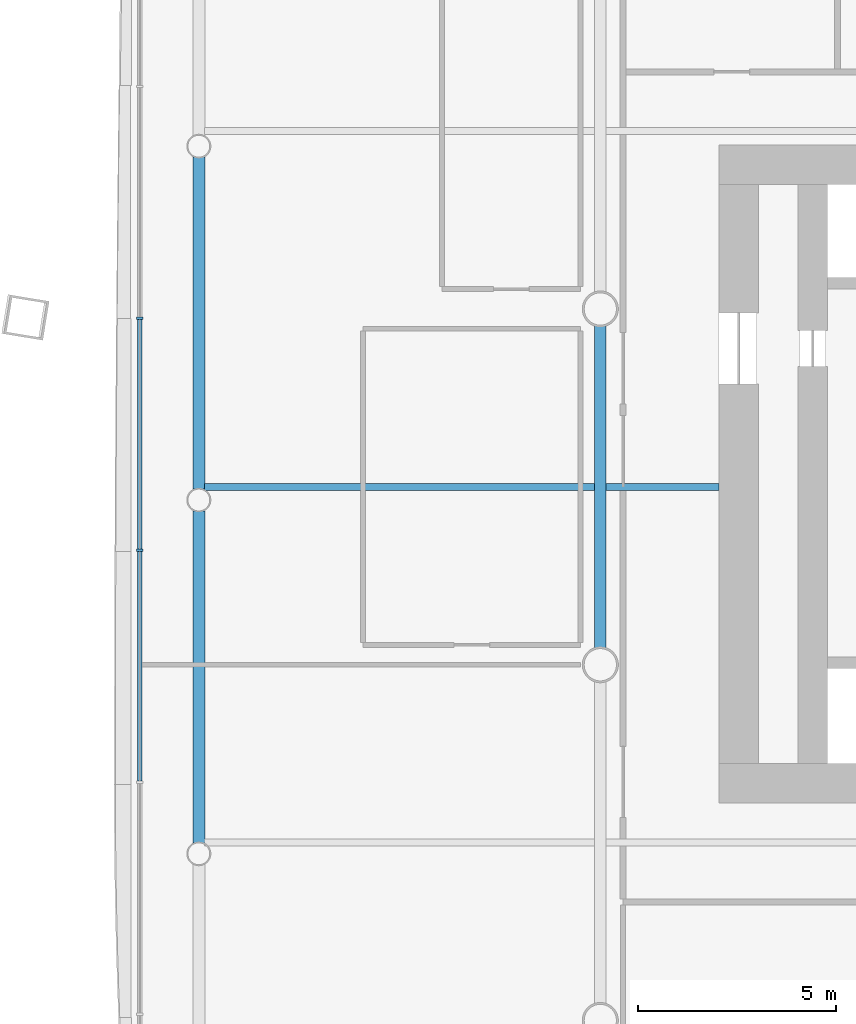
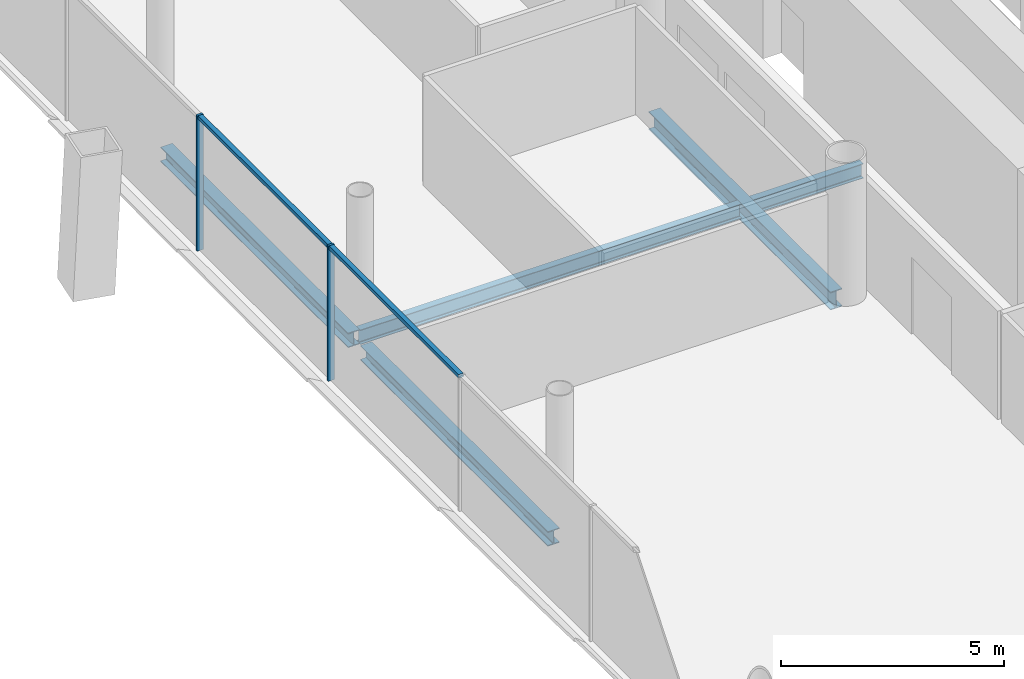
# One storey, part 4 of 21: 5 beams, 4 members, 1 element without a shape of its own.
"""IFC4 building model written with IfcOpenShell, lengths in metres."""

from ifc_helpers import new_model, si_unit, direction, frame, origin, origin_2d, place, context, subcontext, project, spatial, rectangle, i_section, extrude, material, material_profile, profile_set, type_object, element, aggregate, save


model = new_model("IFC4")

# Units and contexts
model_context = context("Model", 3, precision=1e-05, world=origin(), true_north=direction((0.0, 1.0)))
body_context = subcontext(model_context, "Body", "Model", "MODEL_VIEW")
ifc_project = project(units=[si_unit("LENGTHUNIT", "METRE"), si_unit("AREAUNIT", "SQUARE_METRE"), si_unit("VOLUMEUNIT", "CUBIC_METRE"), si_unit("PLANEANGLEUNIT", "RADIAN"), si_unit("MASSUNIT", "GRAM", prefix="KILO")], contexts=[model_context])

# Site, building, storey
site_placement = place(None, origin())
site = spatial("IfcSite", under=ifc_project, at=site_placement, CompositionType="ELEMENT")
building_placement = place(site_placement, origin())
building = spatial("IfcBuilding", under=site, at=building_placement, Name="Tskaro Facet Tower", CompositionType="ELEMENT")
storey_placement = place(building_placement, frame((0.0, 0.0, 38.10009765625)))
storey = spatial("IfcBuildingStorey", under=building, at=storey_placement, Name="L08", CompositionType="ELEMENT", Elevation=38.10009765625)

# Curtain wall, members
ifc_material_1 = material(Name="Bronze anodised aluminium 6063-T6", Category="aluminium")
curtain_wall_type = type_object("IfcCurtainWallType", Name="Bronze office curtain wall (FW1)", PredefinedType="NOTDEFINED", material=ifc_material_1)
curtain_wall_placement = place(storey_placement, origin())
curtain_wall = element("IfcCurtainWall", 1, at=curtain_wall_placement, inside=storey, type_object=curtain_wall_type, Name="FW1 west facet L08", PredefinedType="NOTDEFINED")
ifc_material_profile_1 = material_profile(ifc_material_1, rectangle(XDim=0.06005859375, YDim=0.159912109375, at=origin_2d()), Name="Mullion 60x160")
ifc_profile_set_1 = profile_set([ifc_material_profile_1], Name="Bronze anodised aluminium 6063-T6")
member_type_1 = type_object("IfcMemberType", Name="FW1 bronze mullion 60x160", PredefinedType="MULLION", material=ifc_profile_set_1)
member_1_placement = place(storey_placement, frame((-29.654052734375, -0.239013671875, 0.0), z_axis=(0.0, 0.0, 1.0), x_axis=(0.0, -1.0, 0.0)))
member_1 = element("IfcMember", 2, at=member_1_placement, type_object=member_type_1, Name="FW1 west mullion 4", PredefinedType="MULLION", context=body_context, shape_type="SweptSolid", body=[
    extrude(rectangle(XDim=0.06005859375, YDim=0.159912109375, at=origin_2d()), origin(), (0.0, 0.0, 1.0), 3.699951171875),
])
member_2_placement = place(storey_placement, frame((-29.654052734375, -6.107421875, 0.0), z_axis=(0.0, 0.0, 1.0), x_axis=(0.0, -1.0, 0.0)))
member_2 = element("IfcMember", 3, at=member_2_placement, type_object=member_type_1, Name="FW1 west mullion 5", PredefinedType="MULLION", context=body_context, shape_type="SweptSolid", body=[
    extrude(rectangle(XDim=0.06005859375, YDim=0.159912109375, at=origin_2d()), origin(), (0.0, 0.0, 1.0), 3.699951171875),
])
ifc_material_profile_2 = material_profile(ifc_material_1, rectangle(XDim=0.1201171875, YDim=0.10009765625, at=origin_2d()), Name="Transom 120x100")
ifc_profile_set_2 = profile_set([ifc_material_profile_2], Name="Bronze anodised aluminium 6063-T6")
member_type_2 = type_object("IfcMemberType", Name="FW1 bronze transom 120x100", PredefinedType="USERDEFINED", material=ifc_profile_set_2)
member_3_placement = place(storey_placement, frame((-29.654052734375, -0.26904296875, 3.64990234375), z_axis=(0.0, -1.0, 0.0), x_axis=(1.0, 0.0, 0.0)))
member_3 = element("IfcMember", 4, at=member_3_placement, type_object=member_type_2, Name="FW1 west transom 5.1", ObjectType="TRANSOM", PredefinedType="USERDEFINED", context=body_context, shape_type="SweptSolid", body=[
    extrude(rectangle(XDim=0.1201171875, YDim=0.10009765625, at=origin_2d()), origin(), (0.0, 0.0, 1.0), 5.808349609375),
])
member_4_placement = place(storey_placement, frame((-29.654052734375, -6.137451171875, 3.64990234375), z_axis=(0.0, -1.0, 0.0), x_axis=(1.0, 0.0, 0.0)))
member_4 = element("IfcMember", 5, at=member_4_placement, type_object=member_type_2, Name="FW1 west transom 6.1", ObjectType="TRANSOM", PredefinedType="USERDEFINED", context=body_context, shape_type="SweptSolid", body=[
    extrude(rectangle(XDim=0.1201171875, YDim=0.10009765625, at=origin_2d()), origin(), (0.0, 0.0, 1.0), 5.80859375),
])
aggregate(curtain_wall, [member_1, member_2, member_3, member_4])

# Beams
ifc_material_2 = material(Name="Steel S355J2", Category="steel")
ifc_material_profile_3 = material_profile(ifc_material_2, i_section(OverallWidth=0.300048828125, OverallDepth=0.39990234375, WebThickness=0.013427734375, FlangeThickness=0.02392578125, FilletRadius=0.027099609375, at=origin_2d()), Name="HE 400 B")
ifc_profile_set_3 = profile_set([ifc_material_profile_3], Name="Steel S355J2")
beam_type_1 = type_object("IfcBeamType", Name="HE 400 B ring beam", PredefinedType="BEAM", material=ifc_profile_set_3)
beam_1_placement = place(storey_placement, frame((-28.156982421875, 3.841064453125, -0.340087890625), z_axis=(0.0, -1.0, 0.0), x_axis=(1.0, 0.0, 0.0)))
element("IfcBeam", 6, at=beam_1_placement, inside=storey, type_object=beam_type_1, Name="HE 400 B EB22-1", PredefinedType="BEAM", context=body_context, shape_type="SweptSolid", body=[
    extrude(i_section(OverallWidth=0.300048828125, OverallDepth=0.39990234375, WebThickness=0.013427734375, FlangeThickness=0.02392578125, FilletRadius=0.027099609375, at=origin_2d()), origin(), (0.0, 0.0, 1.0), 8.399169921875),
])
beam_2_placement = place(storey_placement, frame((-28.156982421875, -5.10791015625, -0.340087890625), z_axis=(0.0, -1.0, 0.0), x_axis=(1.0, 0.0, 0.0)))
element("IfcBeam", 7, at=beam_2_placement, inside=storey, type_object=beam_type_1, Name="HE 400 B EB23-1", PredefinedType="BEAM", context=body_context, shape_type="SweptSolid", body=[
    extrude(i_section(OverallWidth=0.300048828125, OverallDepth=0.39990234375, WebThickness=0.013427734375, FlangeThickness=0.02392578125, FilletRadius=0.027099609375, at=origin_2d()), origin(), (0.0, 0.0, 1.0), 8.398193359375),
])
ifc_material_profile_4 = material_profile(ifc_material_2, i_section(OverallWidth=0.300048828125, OverallDepth=0.489990234375, WebThickness=0.011962890625, FlangeThickness=0.02294921875, FilletRadius=0.027099609375, at=origin_2d()), Name="HE 500 A")
ifc_profile_set_4 = profile_set([ifc_material_profile_4], Name="Steel S355J2")
beam_type_2 = type_object("IfcBeamType", Name="HE 500 A girder", PredefinedType="BEAM", material=ifc_profile_set_4)
beam_3_placement = place(storey_placement, frame((-18.0, -8.57275390625, -0.385009765625), z_axis=(0.0, 1.0, 0.0), x_axis=(-1.0, 0.0, 0.0)))
element("IfcBeam", 8, at=beam_3_placement, inside=storey, type_object=beam_type_2, Name="HE 500 A GB2-3-1", PredefinedType="BEAM", context=body_context, shape_type="SweptSolid", body=[
    extrude(i_section(OverallWidth=0.300048828125, OverallDepth=0.489990234375, WebThickness=0.011962890625, FlangeThickness=0.02294921875, FilletRadius=0.027099609375, at=origin_2d()), origin(), (0.0, 0.0, 1.0), 8.1455078125),
])
ifc_material_profile_5 = material_profile(ifc_material_2, i_section(OverallWidth=0.179931640625, OverallDepth=0.39990234375, WebThickness=0.008544921875, FlangeThickness=0.013427734375, FilletRadius=0.02099609375, at=origin_2d()), Name="IPE 400")
ifc_profile_set_5 = profile_set([ifc_material_profile_5], Name="Steel S355J2")
beam_type_3 = type_object("IfcBeamType", Name="IPE 400 secondary beam", PredefinedType="BEAM", material=ifc_profile_set_5)
beam_4_placement = place(storey_placement, frame((-28.007080078125, -4.5, -0.340087890625), z_axis=(1.0, 0.0, 0.0), x_axis=(0.0, 1.0, 0.0)))
element("IfcBeam", 9, at=beam_4_placement, inside=storey, type_object=beam_type_3, Name="IPE 400 SB3a-1-1", PredefinedType="BEAM", context=body_context, shape_type="SweptSolid", body=[
    extrude(i_section(OverallWidth=0.179931640625, OverallDepth=0.39990234375, WebThickness=0.008544921875, FlangeThickness=0.013427734375, FilletRadius=0.02099609375, at=origin_2d()), origin(), (0.0, 0.0, 1.0), 9.857177734375),
])
beam_5_placement = place(storey_placement, frame((-17.85009765625, -4.5, -0.340087890625), z_axis=(1.0, 0.0, 0.0), x_axis=(0.0, 1.0, 0.0)))
element("IfcBeam", 10, at=beam_5_placement, inside=storey, type_object=beam_type_3, Name="IPE 400 SB3a-2-1", PredefinedType="BEAM", context=body_context, shape_type="SweptSolid", body=[
    extrude(i_section(OverallWidth=0.179931640625, OverallDepth=0.39990234375, WebThickness=0.008544921875, FlangeThickness=0.013427734375, FilletRadius=0.02099609375, at=origin_2d()), origin(), (0.0, 0.0, 1.0), 2.85009765625),
])

save(model, "model.ifc")
